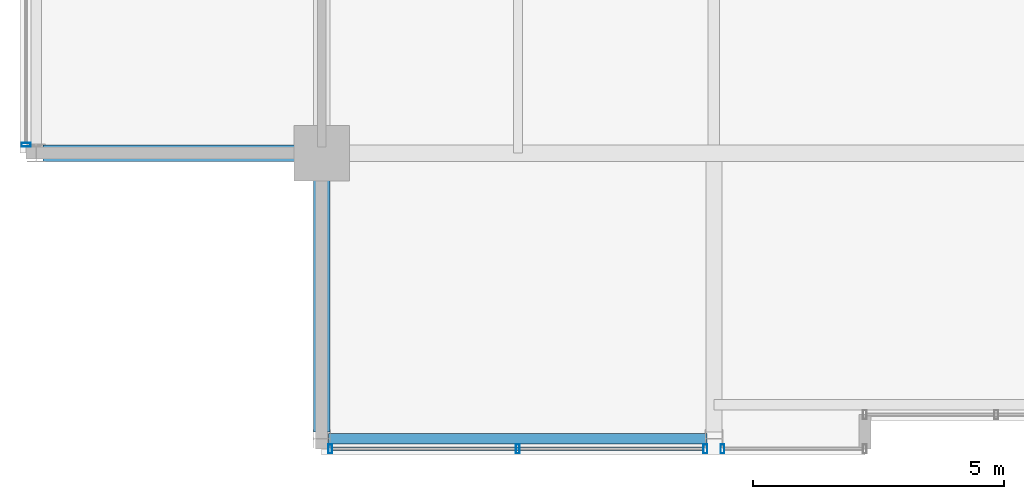
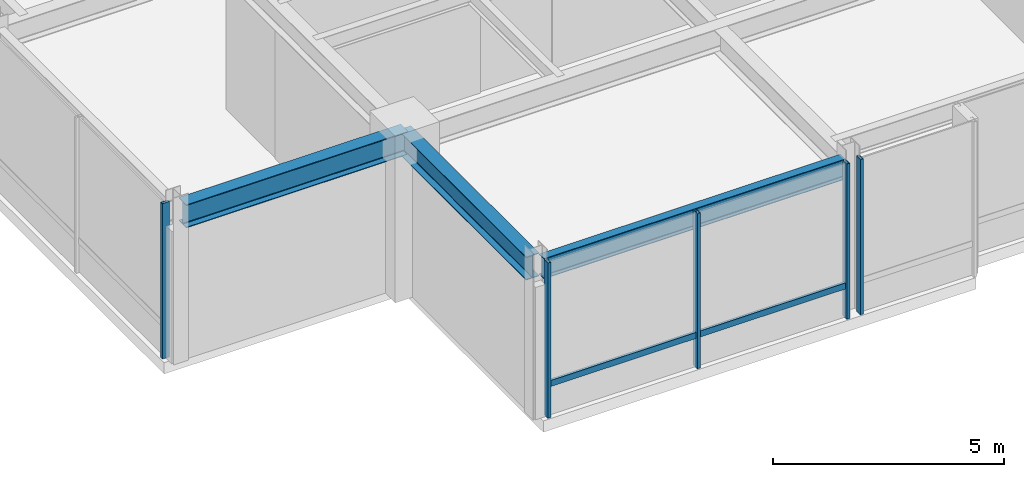
# One storey, part 4 of 34: 6 members, 3 beams, 3 elements without a shape of their own.
"""IFC4 building model written with IfcOpenShell, lengths in metres."""

import ifcopenshell
import ifcopenshell.guid

model = None  # the IFC model being written
_history = None  # IfcOwnerHistory: only IFC2X3 demands one
_inside = {}  # id of a spatial element -> (the spatial element, [elements in it])
_under = {}  # id of a project, library or spatial element -> (it, [spatial elements below it])
_declared = {}  # id of a project -> (the project, [libraries it declares])
_typed = {}  # id of a type object -> (the type object, [elements of that type])
_made_of = {}  # id of a material, layer set ... -> (it, [elements and type objects made of it])


def new_model(schema):
    """Start an empty IFC model of exactly this schema.

    Asked for "IFC4X3", IfcOpenShell would pick the latest addendum, in which some entities
    have other attributes; the version numbers below select the first issue.
    IFC2X3 requires an IfcOwnerHistory on every rooted entity: one is made here for all.
    """
    global model, _history
    if schema == "IFC4X3":
        model = ifcopenshell.file(schema_version=(4, 3, 0, 0))
    else:
        model = ifcopenshell.file(schema=schema)
    _inside.clear()
    _under.clear()
    _declared.clear()
    _typed.clear()
    _made_of.clear()
    _history = None
    if model.schema == "IFC2X3":
        org = make("IfcOrganization", Name="unknown")
        user = make(
            "IfcPersonAndOrganization",
            ThePerson=make("IfcPerson", FamilyName="unknown"),
            TheOrganization=org,
        )
        app = make(
            "IfcApplication",
            ApplicationDeveloper=org,
            Version="unknown",
            ApplicationFullName="unknown",
            ApplicationIdentifier="unknown",
        )
        _history = make(
            "IfcOwnerHistory",
            OwningUser=user,
            OwningApplication=app,
            ChangeAction="ADDED",
            CreationDate=0,
        )
    return model


def make(cls, **values):
    """One entity of the class cls with the attributes given. An attribute that is None is left unset."""
    return model.create_entity(
        cls, **{name: value for name, value in values.items() if value is not None}
    )


def rooted(cls, **values):
    """An entity with a GlobalId (a new one), such as an element, a storey or a relation."""
    return make(cls, GlobalId=ifcopenshell.guid.new(), OwnerHistory=_history, **values)


def si_unit(unit_type, name, prefix=None):
    """IfcSIUnit, for example si_unit("LENGTHUNIT", "METRE", prefix="MILLI")."""
    return make("IfcSIUnit", UnitType=unit_type, Prefix=prefix, Name=name)


def assignment(units):
    """IfcUnitAssignment: the units of a project."""
    return None if units is None else make("IfcUnitAssignment", Units=units)


def point(xyz):
    """IfcCartesianPoint."""
    return None if xyz is None else make("IfcCartesianPoint", Coordinates=xyz)


def direction(xyz):
    """IfcDirection."""
    return None if xyz is None else make("IfcDirection", DirectionRatios=xyz)


def frame(location, z_axis=None, x_axis=None):
    """IfcAxis2Placement3D, a coordinate frame: its origin and axes. An axis left out is left unset."""
    return make(
        "IfcAxis2Placement3D",
        Location=point(location),
        Axis=direction(z_axis),
        RefDirection=direction(x_axis),
    )


def frame_2d(location, x_axis=None):
    """IfcAxis2Placement2D, a coordinate frame in the plane: its origin and x axis."""
    return make(
        "IfcAxis2Placement2D", Location=point(location), RefDirection=direction(x_axis)
    )


def origin():
    """The frame at (0, 0, 0) with its axes left unset."""
    return frame((0.0, 0.0, 0.0))


def origin_2d():
    """The frame at (0, 0) in the plane with its x axis left unset."""
    return frame_2d((0.0, 0.0))


def place(relative_to, where):
    """IfcLocalPlacement: puts the frame where relative to a parent placement (None: the world)."""
    return make(
        "IfcLocalPlacement", PlacementRelTo=relative_to, RelativePlacement=where
    )


def context(
    kind, dimensions, precision=None, world=None, true_north=None, identifier=None
):
    """IfcGeometricRepresentationContext, for example the 3D "Model" context."""
    return make(
        "IfcGeometricRepresentationContext",
        ContextIdentifier=identifier,
        ContextType=kind,
        CoordinateSpaceDimension=dimensions,
        Precision=precision,
        WorldCoordinateSystem=world,
        TrueNorth=true_north,
    )


def subcontext(parent, identifier, kind, view, scale=None):
    """IfcGeometricRepresentationSubContext, for example "Body" below "Model"."""
    return make(
        "IfcGeometricRepresentationSubContext",
        ContextIdentifier=identifier,
        ContextType=kind,
        ParentContext=parent,
        TargetScale=scale,
        TargetView=view,
    )


def project(units=None, contexts=None):
    """IfcProject with its units and contexts."""
    return rooted(
        "IfcProject",
        Name="project",
        RepresentationContexts=contexts,
        UnitsInContext=assignment(units),
    )


def spatial(cls, under=None, at=None, **own):
    """A site, building, storey or space (cls), placed at a placement, below another one or the project."""
    s = rooted(cls, ObjectPlacement=at, **own)
    if under is not None:
        _under.setdefault(under.id(), (under, []))[1].append(s)
    return s


def profile(cls, at=None, kind="AREA", **sizes):
    """A parametric profile (cls). Its sizes go by their IFC names, for example OverallWidth=200.0."""
    return make(cls, ProfileType=kind, Position=at, **sizes)


def hollow_rectangle(**sizes):
    """IfcRectangleHollowProfileDef."""
    return profile("IfcRectangleHollowProfileDef", **sizes)


def i_section(**sizes):
    """IfcIShapeProfileDef."""
    return profile("IfcIShapeProfileDef", **sizes)


def extrude(swept, where, along, depth):
    """IfcExtrudedAreaSolid: the profile swept, set in the frame where, extruded along a direction by depth."""
    return make(
        "IfcExtrudedAreaSolid",
        SweptArea=swept,
        Position=where,
        ExtrudedDirection=direction(along),
        Depth=depth,
    )


def shape(context_of_items, identifier, shape_type, items):
    """IfcShapeRepresentation: the items that make up one representation, for example the "Body"."""
    return make(
        "IfcShapeRepresentation",
        ContextOfItems=context_of_items,
        RepresentationIdentifier=identifier,
        RepresentationType=shape_type,
        Items=items,
    )


def material(Name=None, Category=None):
    """IfcMaterial."""
    return make("IfcMaterial", Name=Name, Category=Category)


def layer(
    of_material, thickness, ventilated=None, Name=None, Category=None, Priority=None
):
    """IfcMaterialLayer: one layer of a wall or slab, of a material (None: an air gap)."""
    return make(
        "IfcMaterialLayer",
        Material=of_material,
        LayerThickness=thickness,
        IsVentilated=ventilated,
        Name=Name,
        Category=Category,
        Priority=Priority,
    )


def layer_set(layers, Name=None):
    """IfcMaterialLayerSet."""
    return make("IfcMaterialLayerSet", MaterialLayers=layers, LayerSetName=Name)


def material_profile(
    of_material, cross_section, Name=None, Category=None, Priority=None
):
    """IfcMaterialProfile: a cross section and its material."""
    return make(
        "IfcMaterialProfile",
        Name=Name,
        Material=of_material,
        Profile=cross_section,
        Priority=Priority,
        Category=Category,
    )


def profile_set(profiles, Name=None, composite=None):
    """IfcMaterialProfileSet."""
    return make(
        "IfcMaterialProfileSet",
        Name=Name,
        MaterialProfiles=profiles,
        CompositeProfile=composite,
    )


def made_of(thing, what):
    """Note that an element or type object is made of a material, layer set ...; save() writes the relation."""
    if what is not None:
        _made_of.setdefault(what.id(), (what, []))[1].append(thing)
    return thing


def type_object(cls, material=None, **own):
    """A type object (cls), such as IfcWallType, which elements share."""
    return made_of(rooted(cls, **own), material)


def element(
    cls,
    number,
    at=None,
    inside=None,
    cuts=None,
    type_object=None,
    material=None,
    context=None,
    identifier="Body",
    shape_type=None,
    held_by="IfcProductDefinitionShape",
    body=None,
    shapes=None,
    **own,
):
    """One element of the class cls, such as IfcWall. Its Tag is "e" and its number.

    at: its placement. inside: the storey or other place that contains it. cuts: it is an
    opening in that element (IfcRelVoidsElement). A single representation is given by context,
    identifier, shape_type and body (its items); several are given by shapes. held_by: the class
    of the entity that holds the representations. save() writes the other relations.
    """
    e = rooted(cls, Tag="e%d" % number, ObjectPlacement=at, **own)
    if body is not None:
        shapes = [shape(context, identifier, shape_type, body)]
    if shapes is not None:
        e.Representation = make(held_by, Representations=shapes)
    if inside is not None:
        _inside.setdefault(inside.id(), (inside, []))[1].append(e)
    if cuts is not None:
        rooted(
            "IfcRelVoidsElement", RelatingBuildingElement=cuts, RelatedOpeningElement=e
        )
    if type_object is not None:
        _typed.setdefault(type_object.id(), (type_object, []))[1].append(e)
    return made_of(e, material)


def aggregate(whole, parts):
    """IfcRelAggregates: a whole, such as a stair, and the parts it consists of."""
    return rooted("IfcRelAggregates", RelatingObject=whole, RelatedObjects=parts)


def save(model, path):
    """Write the relations noted so far, then the file.

    IfcRelAggregates (storeys below a building ...), IfcRelContainedInSpatialStructure (elements
    in a storey), IfcRelDefinesByType, IfcRelAssociatesMaterial and IfcRelDeclares: one each for
    every whole, place, type object, material and project.
    """
    for whole, parts in _under.values():
        aggregate(whole, parts)
    for where, things in _inside.values():
        rooted(
            "IfcRelContainedInSpatialStructure",
            RelatedElements=things,
            RelatingStructure=where,
        )
    for kind, things in _typed.values():
        rooted("IfcRelDefinesByType", RelatedObjects=things, RelatingType=kind)
    for what, things in _made_of.values():
        rooted("IfcRelAssociatesMaterial", RelatedObjects=things, RelatingMaterial=what)
    for by, libraries in _declared.values():
        rooted("IfcRelDeclares", RelatingContext=by, RelatedDefinitions=libraries)
    model.write(path)


model = new_model("IFC4")

# Units and contexts
model_context = context("Model", 3, precision=1e-05, world=origin(), true_north=direction((0.0, 1.0)))
body_context = subcontext(model_context, "Body", "Model", "MODEL_VIEW")
ifc_project = project(units=[si_unit("LENGTHUNIT", "METRE"), si_unit("AREAUNIT", "SQUARE_METRE"), si_unit("VOLUMEUNIT", "CUBIC_METRE"), si_unit("PLANEANGLEUNIT", "RADIAN"), si_unit("MASSUNIT", "GRAM", prefix="KILO")], contexts=[model_context])

# Site, building, storey
site_placement = place(None, origin())
site = spatial("IfcSite", under=ifc_project, at=site_placement, CompositionType="ELEMENT")
building_placement = place(site_placement, origin())
building = spatial("IfcBuilding", under=site, at=building_placement, Name="Drelvath Grand Hotel", CompositionType="ELEMENT")
storey_placement = place(building_placement, frame((0.0, 0.0, 294.199951171875)))
storey = spatial("IfcBuildingStorey", under=building, at=storey_placement, Name="L77", CompositionType="ELEMENT", Elevation=294.199951171875)

# Curtain wall, member
ifc_material_1 = material(Name="Platinum-Mist Anodised Aluminium Frame", Category="aluminium")
ifc_layer = layer(ifc_material_1, 0.199951171875)
ifc_layer_set = layer_set([ifc_layer], Name="Platinum-Mist Anodised Aluminium Frame")
curtain_wall_type = type_object("IfcCurtainWallType", Name="Stick Curtain Wall CW-05 Platinum Mist High-Rise", PredefinedType="NOTDEFINED", material=ifc_layer_set)
curtain_wall_1_placement = place(storey_placement, origin())
curtain_wall_1 = element("IfcCurtainWall", 1, at=curtain_wall_1_placement, inside=storey, type_object=curtain_wall_type, Name="L77 CW-05 Curtain Wall CW05-L77-SW1", PredefinedType="NOTDEFINED")
ifc_material_profile_1 = material_profile(ifc_material_1, hollow_rectangle(XDim=0.06494140625, YDim=0.159912109375, WallThickness=0.00390625, at=origin_2d()), Name="HSS160X65X4")
ifc_profile_set_1 = profile_set([ifc_material_profile_1], Name="Platinum-Mist Anodised Aluminium Frame")
member_type_1 = type_object("IfcMemberType", Name="Curtain Wall Horizontal Transom CW-05 HSS160X65X4", PredefinedType="USERDEFINED", material=ifc_profile_set_1)
member_1_placement = place(storey_placement, frame((-8.610107421875, 4.919921875, 0.85009765625), z_axis=(-1.0, 0.0, 0.0), x_axis=(0.0, -1.0, 0.0)))
member_1 = element("IfcMember", 2, at=member_1_placement, type_object=member_type_1, Name="CW05-L77-SW1 Sill Transom", ObjectType="TRANSOM", PredefinedType="USERDEFINED", context=body_context, shape_type="SweptSolid", body=[
    extrude(hollow_rectangle(XDim=0.06494140625, YDim=0.159912109375, WallThickness=0.00390625, at=origin_2d()), origin(), (0.0, 0.0, 1.0), 7.3798828125),
])

curtain_wall_2_placement = place(storey_placement, origin())
curtain_wall_2 = element("IfcCurtainWall", 3, at=curtain_wall_2_placement, inside=storey, type_object=curtain_wall_type, Name="L77 CW-05 Curtain Wall CW05-L77-WS1", PredefinedType="NOTDEFINED")
ifc_material_profile_2 = material_profile(ifc_material_1, hollow_rectangle(XDim=0.074951171875, YDim=0.179931640625, WallThickness=0.0048828125, at=origin_2d()), Name="HSS180X75X5")
ifc_profile_set_2 = profile_set([ifc_material_profile_2], Name="Platinum-Mist Anodised Aluminium Frame")
member_type_2 = type_object("IfcMemberType", Name="Curtain Wall Vertical Mullion CW-05 HSS180X75X5", PredefinedType="MULLION", material=ifc_profile_set_2)
member_2_placement = place(storey_placement, frame((-22.080078125, 10.97021484375, 0.0), z_axis=(0.0, 0.0, 1.0), x_axis=(0.0, 1.0, 0.0)))
member_2 = element("IfcMember", 4, at=member_2_placement, type_object=member_type_2, Name="CW05-L77-WS1 Mullion 1", PredefinedType="MULLION", context=body_context, shape_type="SweptSolid", body=[
    extrude(hollow_rectangle(XDim=0.074951171875, YDim=0.179931640625, WallThickness=0.0048828125, at=origin_2d()), origin(), (0.0, 0.0, 1.0), 4.10009765625),
])
aggregate(curtain_wall_2, [member_2])

# Member
member_3_placement = place(storey_placement, frame((-8.570068359375, 4.919921875, 0.0), z_axis=(0.0, 0.0, 1.0), x_axis=(1.0, 0.0, 0.0)))
member_3 = element("IfcMember", 5, at=member_3_placement, type_object=member_type_2, Name="CW05-L77-SW1 Mullion 1", PredefinedType="MULLION", context=body_context, shape_type="SweptSolid", body=[
    extrude(hollow_rectangle(XDim=0.074951171875, YDim=0.179931640625, WallThickness=0.0048828125, at=origin_2d()), origin(), (0.0, 0.0, 1.0), 4.10009765625),
])

member_4_placement = place(storey_placement, frame((-12.300048828125, 4.919921875, 0.0), z_axis=(0.0, 0.0, 1.0), x_axis=(1.0, 0.0, 0.0)))
member_4 = element("IfcMember", 6, at=member_4_placement, type_object=member_type_2, Name="CW05-L77-SW1 Mullion 2", PredefinedType="MULLION", context=body_context, shape_type="SweptSolid", body=[
    extrude(hollow_rectangle(XDim=0.074951171875, YDim=0.179931640625, WallThickness=0.0048828125, at=origin_2d()), origin(), (0.0, 0.0, 1.0), 4.10009765625),
])

member_5_placement = place(storey_placement, frame((-16.02978515625, 4.919921875, 0.0), z_axis=(0.0, 0.0, 1.0), x_axis=(1.0, 0.0, 0.0)))
member_5 = element("IfcMember", 7, at=member_5_placement, type_object=member_type_2, Name="CW05-L77-SW1 Mullion 3", PredefinedType="MULLION", context=body_context, shape_type="SweptSolid", body=[
    extrude(hollow_rectangle(XDim=0.074951171875, YDim=0.179931640625, WallThickness=0.0048828125, at=origin_2d()), origin(), (0.0, 0.0, 1.0), 4.10009765625),
])

aggregate(curtain_wall_1, [member_3, member_4, member_5, member_1])

# Curtain wall, member
curtain_wall_3_placement = place(storey_placement, origin())
curtain_wall_3 = element("IfcCurtainWall", 8, at=curtain_wall_3_placement, inside=storey, type_object=curtain_wall_type, Name="L77 CW-05 Curtain Wall CW05-L77-SW2", PredefinedType="NOTDEFINED")
member_6_placement = place(storey_placement, frame((-8.22998046875, 4.919921875, 0.0), z_axis=(0.0, 0.0, 1.0), x_axis=(1.0, 0.0, 0.0)))
member_6 = element("IfcMember", 9, at=member_6_placement, type_object=member_type_2, Name="CW05-L77-SW2 Mullion 2", PredefinedType="MULLION", context=body_context, shape_type="SweptSolid", body=[
    extrude(hollow_rectangle(XDim=0.074951171875, YDim=0.179931640625, WallThickness=0.0048828125, at=origin_2d()), origin(), (0.0, 0.0, 1.0), 4.10009765625),
])
aggregate(curtain_wall_3, [member_6])

# Beams
ifc_material_2 = material(Name="Steel ASTM A992 Gr 50", Category="steel")
ifc_material_profile_3 = material_profile(ifc_material_2, i_section(OverallWidth=0.210205078125, OverallDepth=0.53662109375, WebThickness=0.010986328125, FlangeThickness=0.017333984375, FilletRadius=0.01806640625, at=origin_2d()), Name="W21X68")
ifc_profile_set_3 = profile_set([ifc_material_profile_3], Name="Steel ASTM A992 Gr 50")
beam_type_1 = type_object("IfcBeamType", Name="Perimeter Spandrel Beam W21X68", PredefinedType="SPANDREL", material=ifc_profile_set_3)
beam_placement = place(storey_placement, frame((-16.06005859375, 5.1201171875, 3.831787109375), z_axis=(1.0, 0.0, 0.0), x_axis=(0.0, 1.0, 0.0)))
element("IfcBeam", 10, at=beam_placement, inside=storey, type_object=beam_type_1, Name="L77 Spandrel South W", PredefinedType="SPANDREL", context=body_context, shape_type="SweptSolid", body=[
    extrude(i_section(OverallWidth=0.210205078125, OverallDepth=0.53662109375, WebThickness=0.010986328125, FlangeThickness=0.017333984375, FilletRadius=0.01806640625, at=origin_2d()), origin(), (0.0, 0.0, 1.0), 7.52001953125),
])
ifc_material_profile_4 = material_profile(ifc_material_2, i_section(OverallWidth=0.323974609375, OverallDepth=0.611083984375, WebThickness=0.0126953125, FlangeThickness=0.01904296875, FilletRadius=0.02197265625, at=origin_2d()), Name="W24X104")
ifc_profile_set_4 = profile_set([ifc_material_profile_4], Name="Steel ASTM A992 Gr 50")
beam_type_2 = type_object("IfcBeamType", Name="Primary Floor Girder W24X104", PredefinedType="BEAM", material=ifc_profile_set_4)
for number, where, z_axis, x_axis, name in (
    (11, (-21.739990234375, 10.800048828125, 3.79443359375), (1.0, 0.0, 0.0), (0.0, 1.0, 0.0), "L77 West Grid Girder C"),
    (12, (-16.199951171875, 5.260009765625, 3.79443359375), (0.0, 1.0, 0.0), (-1.0, 0.0, 0.0), "L77 South Grid Girder 3"),
):
    element("IfcBeam", number, at=place(storey_placement, frame(where, z_axis=z_axis, x_axis=x_axis)), inside=storey, type_object=beam_type_2, Name=name, PredefinedType="BEAM", context=body_context, shape_type="SweptSolid", body=[
        extrude(i_section(OverallWidth=0.323974609375, OverallDepth=0.611083984375, WebThickness=0.0126953125, FlangeThickness=0.01904296875, FilletRadius=0.02197265625, at=origin_2d()), origin(), (0.0, 0.0, 1.0), 5.5400390625),
    ])

save(model, "model.ifc")
